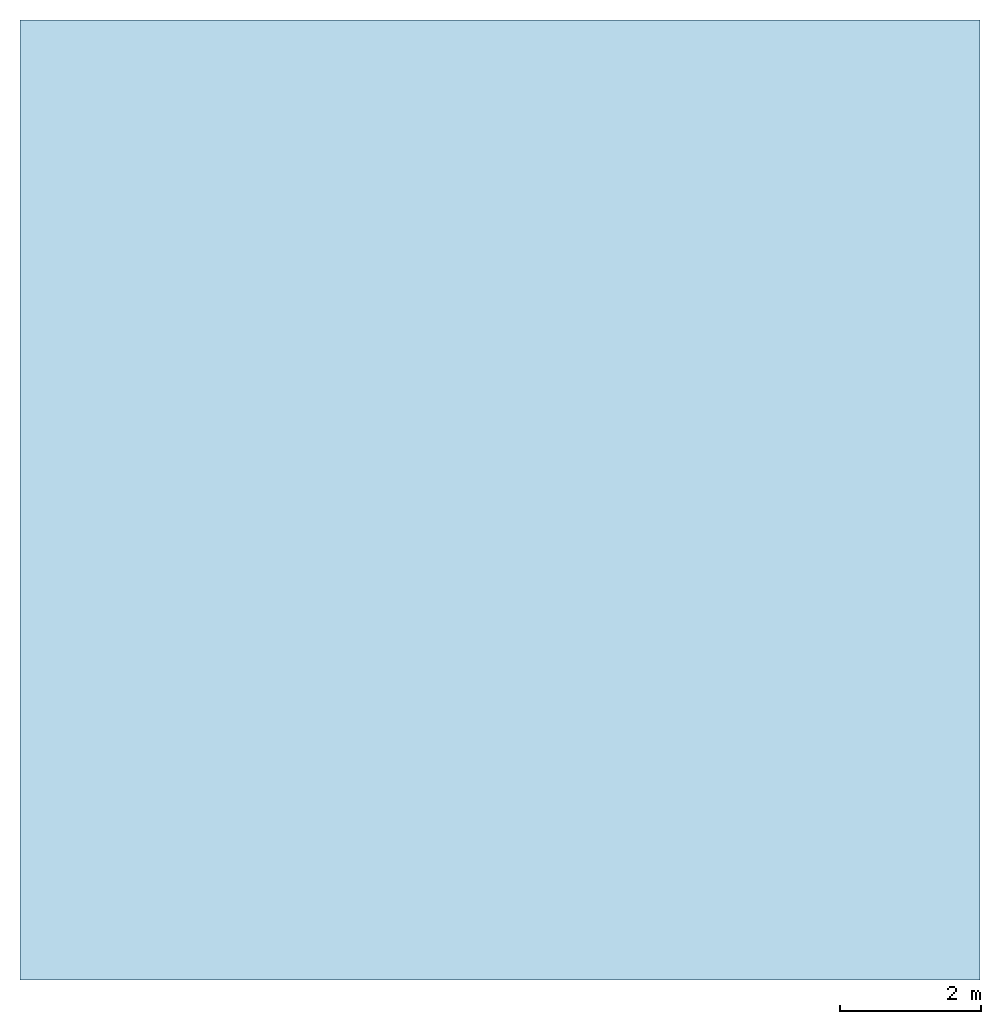
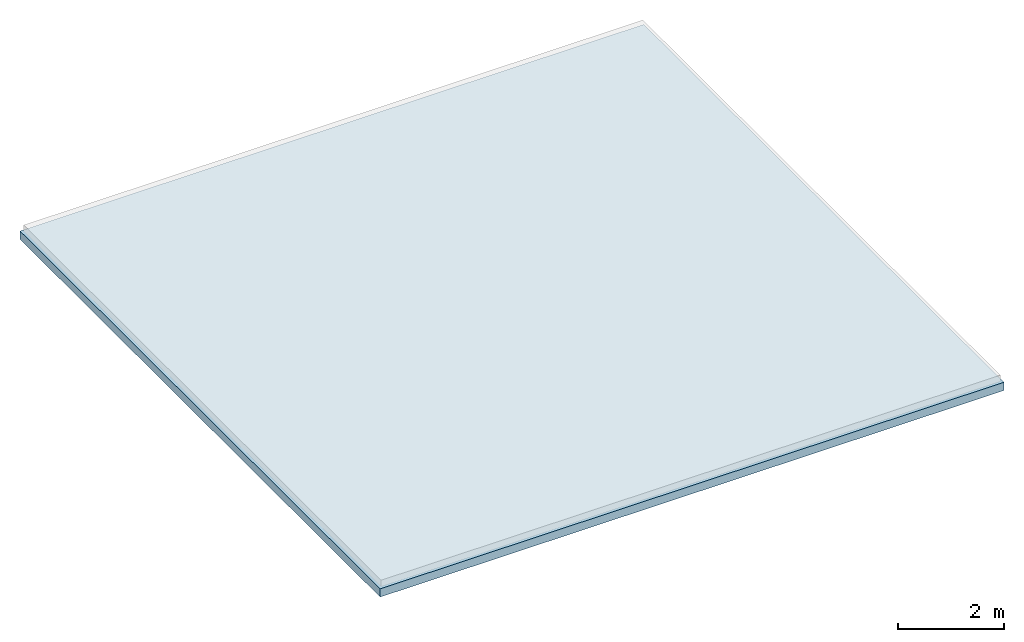
# One storey, part 1 of 2: 1 slab.
"""IFC4 building model written with IfcOpenShell, lengths in metres."""

from ifc_helpers import new_model, si_unit, direction, frame, origin, place, context, subcontext, project, spatial, polyline, outline, extrude, material, layer, layer_set, type_object, element, save


model = new_model("IFC4")

# Units and contexts
model_context = context("Model", 3, precision=1e-05, world=origin(), true_north=direction((0.0, 1.0)))
body_context = subcontext(model_context, "Body", "Model", "MODEL_VIEW")
ifc_project = project(units=[si_unit("LENGTHUNIT", "METRE"), si_unit("AREAUNIT", "SQUARE_METRE"), si_unit("VOLUMEUNIT", "CUBIC_METRE"), si_unit("PLANEANGLEUNIT", "RADIAN"), si_unit("MASSUNIT", "GRAM", prefix="KILO")], contexts=[model_context])

# Site, building, storey
site_placement = place(None, origin())
site = spatial("IfcSite", under=ifc_project, at=site_placement, CompositionType="ELEMENT")
building_placement = place(site_placement, origin())
building = spatial("IfcBuilding", under=site, at=building_placement, Name="Trevanion Tower", CompositionType="ELEMENT")
storey_placement = place(building_placement, frame((0.0, 0.0, 326.199951171875)))
storey = spatial("IfcBuildingStorey", under=building, at=storey_placement, Name="ROOF T2", CompositionType="ELEMENT", Elevation=326.199951171875)

# Slab
ifc_material = material(Name="Concrete 5,000 psi on composite metal deck", Category="concrete")
ifc_layer = layer(ifc_material, 0.18994140625)
ifc_layer_set = layer_set([ifc_layer], Name="RS1 composite roof 190")
slab_type = type_object("IfcSlabType", Name="RS1 composite roof 190", PredefinedType="ROOF", material=ifc_layer_set)
slab_placement = place(storey_placement, frame((0.0, 0.0, -0.18994140625)))
element("IfcSlab", 1, at=slab_placement, inside=storey, type_object=slab_type, Name="RS1 crown tier 2 roof", PredefinedType="ROOF", context=body_context, shape_type="SweptSolid", body=[
    extrude(outline(polyline([(6.800048828125, -6.800048828125), (6.800048828125, 6.800048828125), (-6.800048828125, 6.800048828125), (-6.800048828125, -6.800048828125), (6.800048828125, -6.800048828125)])), origin(), (0.0, 0.0, 1.0), 0.18994140625),
])

save(model, "model.ifc")
